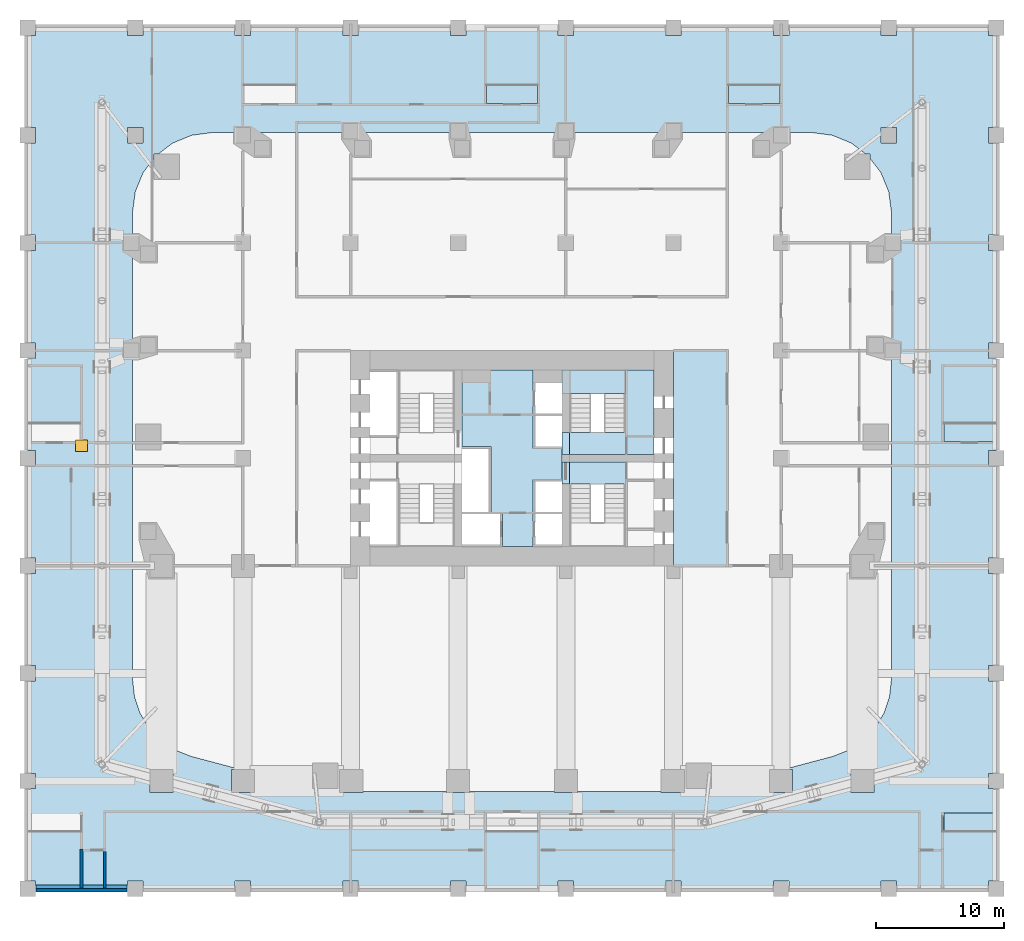
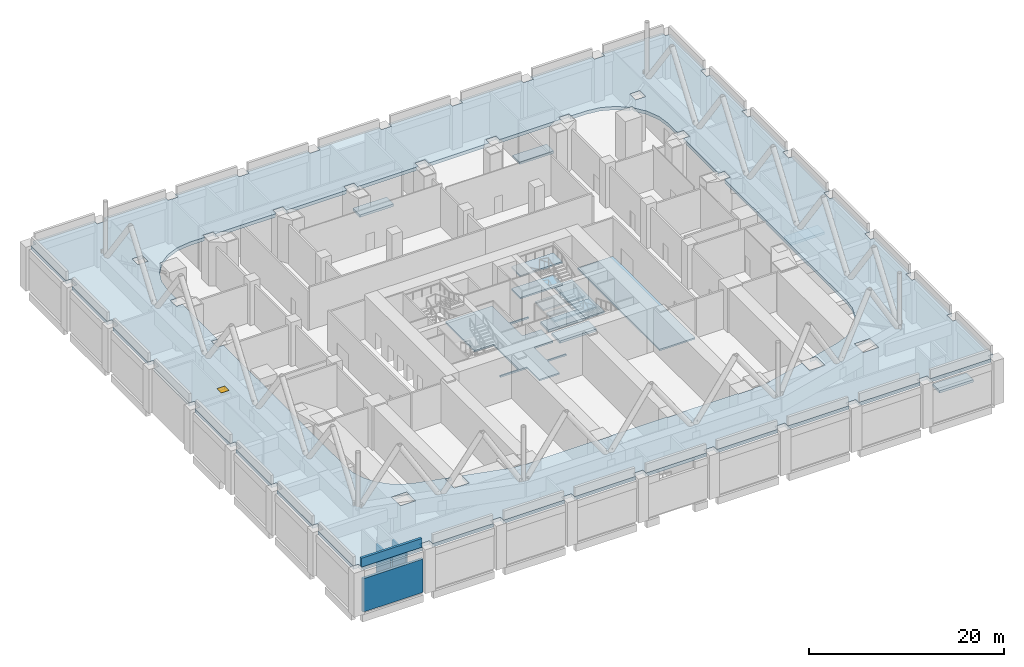
# One storey, part 6 of 17: 14 slabs, 4 walls, 1 window, 1 opening, 2 elements without a shape of their own.
"""IFC4 building model written with IfcOpenShell, lengths in metres."""

import ifcopenshell
import ifcopenshell.guid

model = None  # the IFC model being written
_history = None  # IfcOwnerHistory: only IFC2X3 demands one
_inside = {}  # id of a spatial element -> (the spatial element, [elements in it])
_under = {}  # id of a project, library or spatial element -> (it, [spatial elements below it])
_declared = {}  # id of a project -> (the project, [libraries it declares])
_typed = {}  # id of a type object -> (the type object, [elements of that type])
_made_of = {}  # id of a material, layer set ... -> (it, [elements and type objects made of it])


def new_model(schema):
    """Start an empty IFC model of exactly this schema.

    Asked for "IFC4X3", IfcOpenShell would pick the latest addendum, in which some entities
    have other attributes; the version numbers below select the first issue.
    IFC2X3 requires an IfcOwnerHistory on every rooted entity: one is made here for all.
    """
    global model, _history
    if schema == "IFC4X3":
        model = ifcopenshell.file(schema_version=(4, 3, 0, 0))
    else:
        model = ifcopenshell.file(schema=schema)
    _inside.clear()
    _under.clear()
    _declared.clear()
    _typed.clear()
    _made_of.clear()
    _history = None
    if model.schema == "IFC2X3":
        org = make("IfcOrganization", Name="unknown")
        user = make(
            "IfcPersonAndOrganization",
            ThePerson=make("IfcPerson", FamilyName="unknown"),
            TheOrganization=org,
        )
        app = make(
            "IfcApplication",
            ApplicationDeveloper=org,
            Version="unknown",
            ApplicationFullName="unknown",
            ApplicationIdentifier="unknown",
        )
        _history = make(
            "IfcOwnerHistory",
            OwningUser=user,
            OwningApplication=app,
            ChangeAction="ADDED",
            CreationDate=0,
        )
    return model


def make(cls, **values):
    """One entity of the class cls with the attributes given. An attribute that is None is left unset."""
    return model.create_entity(
        cls, **{name: value for name, value in values.items() if value is not None}
    )


def rooted(cls, **values):
    """An entity with a GlobalId (a new one), such as an element, a storey or a relation."""
    return make(cls, GlobalId=ifcopenshell.guid.new(), OwnerHistory=_history, **values)


def si_unit(unit_type, name, prefix=None):
    """IfcSIUnit, for example si_unit("LENGTHUNIT", "METRE", prefix="MILLI")."""
    return make("IfcSIUnit", UnitType=unit_type, Prefix=prefix, Name=name)


def assignment(units):
    """IfcUnitAssignment: the units of a project."""
    return None if units is None else make("IfcUnitAssignment", Units=units)


def point(xyz):
    """IfcCartesianPoint."""
    return None if xyz is None else make("IfcCartesianPoint", Coordinates=xyz)


def direction(xyz):
    """IfcDirection."""
    return None if xyz is None else make("IfcDirection", DirectionRatios=xyz)


def frame(location, z_axis=None, x_axis=None):
    """IfcAxis2Placement3D, a coordinate frame: its origin and axes. An axis left out is left unset."""
    return make(
        "IfcAxis2Placement3D",
        Location=point(location),
        Axis=direction(z_axis),
        RefDirection=direction(x_axis),
    )


def frame_2d(location, x_axis=None):
    """IfcAxis2Placement2D, a coordinate frame in the plane: its origin and x axis."""
    return make(
        "IfcAxis2Placement2D", Location=point(location), RefDirection=direction(x_axis)
    )


def origin():
    """The frame at (0, 0, 0) with its axes left unset."""
    return frame((0.0, 0.0, 0.0))


def origin_2d():
    """The frame at (0, 0) in the plane with its x axis left unset."""
    return frame_2d((0.0, 0.0))


def place(relative_to, where):
    """IfcLocalPlacement: puts the frame where relative to a parent placement (None: the world)."""
    return make(
        "IfcLocalPlacement", PlacementRelTo=relative_to, RelativePlacement=where
    )


def context(
    kind, dimensions, precision=None, world=None, true_north=None, identifier=None
):
    """IfcGeometricRepresentationContext, for example the 3D "Model" context."""
    return make(
        "IfcGeometricRepresentationContext",
        ContextIdentifier=identifier,
        ContextType=kind,
        CoordinateSpaceDimension=dimensions,
        Precision=precision,
        WorldCoordinateSystem=world,
        TrueNorth=true_north,
    )


def subcontext(parent, identifier, kind, view, scale=None):
    """IfcGeometricRepresentationSubContext, for example "Body" below "Model"."""
    return make(
        "IfcGeometricRepresentationSubContext",
        ContextIdentifier=identifier,
        ContextType=kind,
        ParentContext=parent,
        TargetScale=scale,
        TargetView=view,
    )


def project(units=None, contexts=None):
    """IfcProject with its units and contexts."""
    return rooted(
        "IfcProject",
        Name="project",
        RepresentationContexts=contexts,
        UnitsInContext=assignment(units),
    )


def spatial(cls, under=None, at=None, **own):
    """A site, building, storey or space (cls), placed at a placement, below another one or the project."""
    s = rooted(cls, ObjectPlacement=at, **own)
    if under is not None:
        _under.setdefault(under.id(), (under, []))[1].append(s)
    return s


def polyline(points):
    """IfcPolyline through the points."""
    return make("IfcPolyline", Points=[point(p) for p in points])


def profile(cls, at=None, kind="AREA", **sizes):
    """A parametric profile (cls). Its sizes go by their IFC names, for example OverallWidth=200.0."""
    return make(cls, ProfileType=kind, Position=at, **sizes)


def rectangle(**sizes):
    """IfcRectangleProfileDef."""
    return profile("IfcRectangleProfileDef", **sizes)


def outline(outer, holes=None, kind="AREA"):
    """IfcArbitraryClosedProfileDef: a profile drawn as a closed curve; with holes, ...WithVoids."""
    if holes is None:
        return make("IfcArbitraryClosedProfileDef", ProfileType=kind, OuterCurve=outer)
    return make(
        "IfcArbitraryProfileDefWithVoids",
        ProfileType=kind,
        OuterCurve=outer,
        InnerCurves=holes,
    )


def extrude(swept, where, along, depth):
    """IfcExtrudedAreaSolid: the profile swept, set in the frame where, extruded along a direction by depth."""
    return make(
        "IfcExtrudedAreaSolid",
        SweptArea=swept,
        Position=where,
        ExtrudedDirection=direction(along),
        Depth=depth,
    )


def shape(context_of_items, identifier, shape_type, items):
    """IfcShapeRepresentation: the items that make up one representation, for example the "Body"."""
    return make(
        "IfcShapeRepresentation",
        ContextOfItems=context_of_items,
        RepresentationIdentifier=identifier,
        RepresentationType=shape_type,
        Items=items,
    )


def material(Name=None, Category=None):
    """IfcMaterial."""
    return make("IfcMaterial", Name=Name, Category=Category)


def layer(
    of_material, thickness, ventilated=None, Name=None, Category=None, Priority=None
):
    """IfcMaterialLayer: one layer of a wall or slab, of a material (None: an air gap)."""
    return make(
        "IfcMaterialLayer",
        Material=of_material,
        LayerThickness=thickness,
        IsVentilated=ventilated,
        Name=Name,
        Category=Category,
        Priority=Priority,
    )


def layer_set(layers, Name=None):
    """IfcMaterialLayerSet."""
    return make("IfcMaterialLayerSet", MaterialLayers=layers, LayerSetName=Name)


def made_of(thing, what):
    """Note that an element or type object is made of a material, layer set ...; save() writes the relation."""
    if what is not None:
        _made_of.setdefault(what.id(), (what, []))[1].append(thing)
    return thing


def type_object(cls, material=None, **own):
    """A type object (cls), such as IfcWallType, which elements share."""
    return made_of(rooted(cls, **own), material)


def element(
    cls,
    number,
    at=None,
    inside=None,
    cuts=None,
    type_object=None,
    material=None,
    context=None,
    identifier="Body",
    shape_type=None,
    held_by="IfcProductDefinitionShape",
    body=None,
    shapes=None,
    **own,
):
    """One element of the class cls, such as IfcWall. Its Tag is "e" and its number.

    at: its placement. inside: the storey or other place that contains it. cuts: it is an
    opening in that element (IfcRelVoidsElement). A single representation is given by context,
    identifier, shape_type and body (its items); several are given by shapes. held_by: the class
    of the entity that holds the representations. save() writes the other relations.
    """
    e = rooted(cls, Tag="e%d" % number, ObjectPlacement=at, **own)
    if body is not None:
        shapes = [shape(context, identifier, shape_type, body)]
    if shapes is not None:
        e.Representation = make(held_by, Representations=shapes)
    if inside is not None:
        _inside.setdefault(inside.id(), (inside, []))[1].append(e)
    if cuts is not None:
        rooted(
            "IfcRelVoidsElement", RelatingBuildingElement=cuts, RelatedOpeningElement=e
        )
    if type_object is not None:
        _typed.setdefault(type_object.id(), (type_object, []))[1].append(e)
    return made_of(e, material)


def fill(opening, filler):
    """IfcRelFillsElement: the door or window that sits in an opening."""
    return rooted(
        "IfcRelFillsElement",
        RelatingOpeningElement=opening,
        RelatedBuildingElement=filler,
    )


def aggregate(whole, parts):
    """IfcRelAggregates: a whole, such as a stair, and the parts it consists of."""
    return rooted("IfcRelAggregates", RelatingObject=whole, RelatedObjects=parts)


def save(model, path):
    """Write the relations noted so far, then the file.

    IfcRelAggregates (storeys below a building ...), IfcRelContainedInSpatialStructure (elements
    in a storey), IfcRelDefinesByType, IfcRelAssociatesMaterial and IfcRelDeclares: one each for
    every whole, place, type object, material and project.
    """
    for whole, parts in _under.values():
        aggregate(whole, parts)
    for where, things in _inside.values():
        rooted(
            "IfcRelContainedInSpatialStructure",
            RelatedElements=things,
            RelatingStructure=where,
        )
    for kind, things in _typed.values():
        rooted("IfcRelDefinesByType", RelatedObjects=things, RelatingType=kind)
    for what, things in _made_of.values():
        rooted("IfcRelAssociatesMaterial", RelatedObjects=things, RelatingMaterial=what)
    for by, libraries in _declared.values():
        rooted("IfcRelDeclares", RelatingContext=by, RelatedDefinitions=libraries)
    model.write(path)


model = new_model("IFC4")

# Units and contexts
model_context = context("Model", 3, precision=1e-05, world=origin(), true_north=direction((0.0, 1.0)))
body_context = subcontext(model_context, "Body", "Model", "MODEL_VIEW")
ifc_project = project(units=[si_unit("LENGTHUNIT", "METRE"), si_unit("AREAUNIT", "SQUARE_METRE"), si_unit("VOLUMEUNIT", "CUBIC_METRE"), si_unit("PLANEANGLEUNIT", "RADIAN"), si_unit("MASSUNIT", "GRAM", prefix="KILO")], contexts=[model_context])

# Site, building, storey
site_placement = place(None, origin())
site = spatial("IfcSite", under=ifc_project, at=site_placement, CompositionType="ELEMENT")
building_placement = place(site_placement, origin())
building = spatial("IfcBuilding", under=site, at=building_placement, Name="Marenta Gate Hotel Tower", CompositionType="ELEMENT")
storey_placement = place(building_placement, frame((0.0, 0.0, 31.0)))
storey = spatial("IfcBuildingStorey", under=building, at=storey_placement, Name="L05", CompositionType="ELEMENT", Elevation=31.0)

# Slabs
ifc_material_1 = material(Name="Concrete C40", Category="concrete")
ifc_layer_1 = layer(ifc_material_1, 0.199951171875)
ifc_layer_set_1 = layer_set([ifc_layer_1], Name="Concrete C40")
slab_type_1 = type_object("IfcSlabType", Name="Core floor slab 200", PredefinedType="FLOOR", material=ifc_layer_set_1)
slab_1_placement = place(storey_placement, frame((0.0, 0.0, -0.199951171875)))
element("IfcSlab", 1, at=slab_1_placement, inside=storey, type_object=slab_type_1, Name="L05-CF-1", PredefinedType="FLOOR", context=body_context, shape_type="SweptSolid", body=[
    extrude(outline(polyline([(12.60009765625, 0.0), (12.60009765625, 16.800048828125), (16.800048828125, 16.800048828125), (16.800048828125, 0.0), (12.60009765625, 0.0)])), origin(), (0.0, 0.0, 1.0), 0.199951171875),
])
slab_2_placement = place(storey_placement, frame((0.0, 0.0, -0.199951171875)))
element("IfcSlab", 2, at=slab_2_placement, inside=storey, type_object=slab_type_1, Name="L05-CF-2", PredefinedType="FLOOR", context=body_context, shape_type="SweptSolid", body=[
    extrude(outline(polyline([(8.85009765625, 15.300048828125), (11.10009765625, 15.300048828125), (11.10009765625, 8.699951171875), (8.85009765625, 8.699951171875), (8.85009765625, 10.39990234375), (8.85009765625, 15.300048828125)])), origin(), (0.0, 0.0, 1.0), 0.199951171875),
])
slab_3_placement = place(storey_placement, frame((0.0, 0.0, -0.199951171875)))
element("IfcSlab", 3, at=slab_3_placement, inside=storey, type_object=slab_type_1, Name="L05-CF-4", PredefinedType="FLOOR", context=body_context, shape_type="SweptSolid", body=[
    extrude(outline(polyline([(1.64990234375, 14.25), (1.64990234375, 11.85009765625), (1.800048828125, 11.85009765625), (3.89990234375, 11.85009765625), (3.89990234375, 11.699951171875), (1.800048828125, 11.699951171875), (1.64990234375, 11.699951171875), (1.64990234375, 9.300048828125), (1.64990234375, 9.14990234375), (3.89990234375, 9.14990234375), (3.89990234375, 9.300048828125), (3.89990234375, 10.39990234375), (3.89990234375, 10.39990234375), (3.89990234375, 6.39990234375), (3.89990234375, 6.39990234375), (3.89990234375, 6.60009765625), (3.89990234375, 6.75), (1.64990234375, 6.75), (1.64990234375, 6.60009765625), (1.64990234375, 4.199951171875), (1.800048828125, 4.199951171875), (3.89990234375, 4.199951171875), (3.89990234375, 4.050048828125), (1.800048828125, 4.050048828125), (1.64990234375, 4.050048828125), (1.64990234375, 1.64990234375), (1.64990234375, 1.5), (-0.75, 1.5), (-0.75, 4.050048828125), (-0.89990234375, 4.050048828125), (-3.89990234375, 4.050048828125), (-3.89990234375, 4.199951171875), (-1.800048828125, 4.199951171875), (-1.64990234375, 4.199951171875), (-1.64990234375, 9.14990234375), (-1.64990234375, 9.300048828125), (-3.89990234375, 9.300048828125), (-3.89990234375, 9.14990234375), (-3.89990234375, 6.75), (-3.89990234375, 6.60009765625), (-3.89990234375, 6.39990234375), (-3.89990234375, 6.39990234375), (-3.89990234375, 10.39990234375), (-3.89990234375, 10.39990234375), (-3.89990234375, 15.300048828125), (1.64990234375, 15.300048828125), (1.64990234375, 14.25)])), origin(), (0.0, 0.0, 1.0), 0.199951171875),
])

# Stair, slab
ifc_material_2 = material(Name="Concrete C40", Category="concrete")
stair_type = type_object("IfcStairType", Name="Core exit stair 1640 wide", PredefinedType="HALF_TURN_STAIR", material=ifc_material_2)
stair_1_placement = place(storey_placement, origin())
stair_1 = element("IfcStair", 4, at=stair_1_placement, inside=storey, type_object=stair_type, Name="Exit stair 3", PredefinedType="HALF_TURN_STAIR")
ifc_material_3 = material(Name="Concrete C40", Category="concrete")
ifc_layer_2 = layer(ifc_material_3, 0.199951171875)
ifc_layer_set_2 = layer_set([ifc_layer_2], Name="Concrete C40")
slab_type_2 = type_object("IfcSlabType", Name="Core stair landing 200", PredefinedType="LANDING", material=ifc_layer_set_2)
slab_4_placement = place(storey_placement, frame((0.0, 0.0, 2.550048828125)))
slab_4 = element("IfcSlab", 5, at=slab_4_placement, type_object=slab_type_2, Name="SL-200 ST3 landing 2", PredefinedType="LANDING", context=body_context, shape_type="SweptSolid", body=[
    extrude(outline(polyline([(3.89990234375, 6.39990234375), (8.85009765625, 6.39990234375), (8.85009765625, 8.10009765625), (3.89990234375, 8.10009765625), (3.89990234375, 6.39990234375)])), origin(), (0.0, 0.0, 1.0), 0.199951171875),
])
aggregate(stair_1, [slab_4])

# Stair, slabs
stair_2_placement = place(storey_placement, origin())
stair_2 = element("IfcStair", 6, at=stair_2_placement, inside=storey, type_object=stair_type, Name="Exit stair 4", PredefinedType="HALF_TURN_STAIR")
slab_5_placement = place(storey_placement, frame((0.0, 0.0, 1.175048828125)))
slab_5 = element("IfcSlab", 7, at=slab_5_placement, type_object=slab_type_2, Name="SL-200 ST4 landing 1", PredefinedType="LANDING", context=body_context, shape_type="SweptSolid", body=[
    extrude(outline(polyline([(3.89990234375, 13.43994140625), (8.85009765625, 13.43994140625), (8.85009765625, 15.300048828125), (3.89990234375, 15.300048828125), (3.89990234375, 13.43994140625)])), origin(), (0.0, 0.0, 1.0), 0.199951171875),
])
slab_6_placement = place(storey_placement, frame((0.0, 0.0, 2.550048828125)))
slab_6 = element("IfcSlab", 8, at=slab_6_placement, type_object=slab_type_2, Name="SL-200 ST4 landing 2", PredefinedType="LANDING", context=body_context, shape_type="SweptSolid", body=[
    extrude(outline(polyline([(3.89990234375, 8.699951171875), (8.85009765625, 8.699951171875), (8.85009765625, 10.39990234375), (3.89990234375, 10.39990234375), (3.89990234375, 8.699951171875)])), origin(), (0.0, 0.0, 1.0), 0.199951171875),
])
slab_7_placement = place(storey_placement, frame((0.0, 0.0, 3.925048828125)))
slab_7 = element("IfcSlab", 9, at=slab_7_placement, type_object=slab_type_2, Name="SL-200 ST4 landing 3", PredefinedType="LANDING", context=body_context, shape_type="SweptSolid", body=[
    extrude(outline(polyline([(3.89990234375, 13.43994140625), (8.85009765625, 13.43994140625), (8.85009765625, 15.300048828125), (3.89990234375, 15.300048828125), (3.89990234375, 13.43994140625)])), origin(), (0.0, 0.0, 1.0), 0.199951171875),
])
aggregate(stair_2, [slab_5, slab_6, slab_7])

# Slab, opening, window
ifc_material_4 = material(Name="Concrete C40", Category="concrete")
ifc_layer_3 = layer(ifc_material_4, 0.419921875)
ifc_layer_set_3 = layer_set([ifc_layer_3], Name="Concrete C40")
slab_type_3 = type_object("IfcSlabType", Name="Podium roof slab 420 C40", PredefinedType="ROOF", material=ifc_layer_set_3)
slab_8_placement = place(storey_placement, frame((0.0, 0.0, 5.080078125)))
slab_8 = element("IfcSlab", 10, at=slab_8_placement, inside=storey, type_object=slab_type_3, Name="PS2 L05-PSL-R1", PredefinedType="ROOF", context=body_context, shape_type="SweptSolid", body=[
    extrude(outline(polyline([(-37.800048828125, -17.39990234375), (-37.800048828125, -24.60009765625), (-37.199951171875, -24.60009765625), (-37.199951171875, -25.199951171875), (-30.0, -25.199951171875), (-30.0, -24.60009765625), (-28.800048828125, -24.60009765625), (-28.800048828125, -25.199951171875), (-21.60009765625, -25.199951171875), (-21.60009765625, -24.60009765625), (-20.39990234375, -24.60009765625), (-20.39990234375, -25.199951171875), (-13.199951171875, -25.199951171875), (-13.199951171875, -24.60009765625), (-12.0, -24.60009765625), (-12.0, -25.199951171875), (-4.800048828125, -25.199951171875), (-4.800048828125, -24.60009765625), (-3.60009765625, -24.60009765625), (-3.60009765625, -25.199951171875), (3.60009765625, -25.199951171875), (3.60009765625, -24.60009765625), (4.800048828125, -24.60009765625), (4.800048828125, -25.199951171875), (12.0, -25.199951171875), (12.0, -24.60009765625), (13.199951171875, -24.60009765625), (13.199951171875, -25.199951171875), (20.39990234375, -25.199951171875), (20.39990234375, -24.60009765625), (21.60009765625, -24.60009765625), (21.60009765625, -25.199951171875), (28.800048828125, -25.199951171875), (28.800048828125, -24.60009765625), (30.0, -24.60009765625), (30.0, -25.199951171875), (37.199951171875, -25.199951171875), (37.199951171875, -24.60009765625), (37.800048828125, -24.60009765625), (37.800048828125, -17.39990234375), (37.199951171875, -17.39990234375), (37.199951171875, -16.199951171875), (37.800048828125, -16.199951171875), (37.800048828125, -9.0), (37.199951171875, -9.0), (37.199951171875, -7.800048828125), (37.800048828125, -7.800048828125), (37.800048828125, -0.60009765625), (37.199951171875, -0.60009765625), (37.199951171875, 0.60009765625), (37.800048828125, 0.60009765625), (37.800048828125, 7.800048828125), (37.199951171875, 7.800048828125), (37.199951171875, 9.0), (37.800048828125, 9.0), (37.800048828125, 16.199951171875), (37.199951171875, 16.199951171875), (37.199951171875, 17.39990234375), (37.800048828125, 17.39990234375), (37.800048828125, 24.60009765625), (37.199951171875, 24.60009765625), (37.199951171875, 25.800048828125), (37.800048828125, 25.800048828125), (37.800048828125, 33.0), (37.199951171875, 33.0), (37.199951171875, 34.199951171875), (37.800048828125, 34.199951171875), (37.800048828125, 41.39990234375), (37.199951171875, 41.39990234375), (37.199951171875, 42.0), (30.0, 42.0), (30.0, 41.39990234375), (28.800048828125, 41.39990234375), (28.800048828125, 42.0), (21.60009765625, 42.0), (21.60009765625, 41.39990234375), (20.39990234375, 41.39990234375), (20.39990234375, 42.0), (13.199951171875, 42.0), (13.199951171875, 41.39990234375), (12.0, 41.39990234375), (12.0, 42.0), (4.800048828125, 42.0), (4.800048828125, 41.39990234375), (3.60009765625, 41.39990234375), (3.60009765625, 42.0), (-3.60009765625, 42.0), (-3.60009765625, 41.39990234375), (-4.800048828125, 41.39990234375), (-4.800048828125, 42.0), (-12.0, 42.0), (-12.0, 41.39990234375), (-13.199951171875, 41.39990234375), (-13.199951171875, 42.0), (-20.39990234375, 42.0), (-20.39990234375, 41.39990234375), (-21.60009765625, 41.39990234375), (-21.60009765625, 42.0), (-28.800048828125, 42.0), (-28.800048828125, 41.39990234375), (-30.0, 41.39990234375), (-30.0, 42.0), (-37.199951171875, 42.0), (-37.199951171875, 41.39990234375), (-37.800048828125, 41.39990234375), (-37.800048828125, 34.199951171875), (-37.199951171875, 34.199951171875), (-37.199951171875, 33.0), (-37.800048828125, 33.0), (-37.800048828125, 25.800048828125), (-37.199951171875, 25.800048828125), (-37.199951171875, 24.60009765625), (-37.800048828125, 24.60009765625), (-37.800048828125, 17.39990234375), (-37.199951171875, 17.39990234375), (-37.199951171875, 16.199951171875), (-37.800048828125, 16.199951171875), (-37.800048828125, 9.0), (-37.199951171875, 9.0), (-37.199951171875, 7.800048828125), (-37.800048828125, 7.800048828125), (-37.800048828125, 0.60009765625), (-37.199951171875, 0.60009765625), (-37.199951171875, -0.60009765625), (-37.800048828125, -0.60009765625), (-37.800048828125, -7.800048828125), (-37.199951171875, -7.800048828125), (-37.199951171875, -9.0), (-37.800048828125, -9.0), (-37.800048828125, -16.199951171875), (-37.199951171875, -16.199951171875), (-37.199951171875, -17.39990234375), (-37.800048828125, -17.39990234375)]), holes=[polyline([(-14.736083984375, -17.572509765625), (-15.24462890625, -17.47216796875), (-15.258056640625, -17.46923828125), (-20.10009765625, -16.1845703125), (-20.10009765625, -17.699951171875), (-21.89990234375, -17.699951171875), (-21.89990234375, -15.89990234375), (-21.172607421875, -15.89990234375), (-24.992431640625, -14.88671875), (-25.014404296875, -14.87939453125), (-26.235107421875, -14.407958984375), (-26.256103515625, -14.3984375), (-26.27587890625, -14.38671875), (-27.365478515625, -13.66162109375), (-27.3837890625, -13.64794921875), (-27.400634765625, -13.63232421875), (-28.30712890625, -12.68798828125), (-28.322021484375, -12.670654296875), (-28.3349609375, -12.65185546875), (-29.01513671875, -11.533447265625), (-29.026123046875, -11.51318359375), (-29.03466796875, -11.491943359375), (-29.4560546875, -10.2529296875), (-29.462158203125, -10.230712890625), (-29.4658203125, -10.208251953125), (-29.608642578125, -8.9072265625), (-29.610107421875, -8.88427734375), (-29.610107421875, 16.199951171875), (-30.320068359375, 16.199951171875), (-30.320068359375, 17.39990234375), (-29.610107421875, 17.39990234375), (-29.610107421875, 24.60009765625), (-30.320068359375, 24.60009765625), (-30.320068359375, 25.800048828125), (-29.610107421875, 25.800048828125), (-29.610107421875, 27.60009765625), (-29.608154296875, 27.62744140625), (-29.40380859375, 29.180419921875), (-29.400634765625, 29.1982421875), (-29.39599609375, 29.216064453125), (-29.3896484375, 29.2333984375), (-28.790283203125, 30.680419921875), (-28.782470703125, 30.697021484375), (-28.773193359375, 30.712890625), (-28.7626953125, 30.727783203125), (-27.935546875, 31.805908203125), (-27.935546875, 32.135498046875), (-27.60595703125, 32.135498046875), (-26.52783203125, 32.962890625), (-26.5126953125, 32.973388671875), (-26.4970703125, 32.982421875), (-26.48046875, 32.990234375), (-25.033203125, 33.589599609375), (-25.01611328125, 33.595947265625), (-24.998291015625, 33.6005859375), (-24.980224609375, 33.603759765625), (-23.427490234375, 33.80810546875), (-23.39990234375, 33.81005859375), (-21.60009765625, 33.81005859375), (-21.60009765625, 34.199951171875), (-20.39990234375, 34.199951171875), (-20.39990234375, 33.81005859375), (-13.199951171875, 33.81005859375), (-13.199951171875, 34.52001953125), (-12.0, 34.52001953125), (-12.0, 33.81005859375), (-4.800048828125, 33.81005859375), (-4.800048828125, 34.52001953125), (-3.60009765625, 34.52001953125), (-3.60009765625, 33.81005859375), (3.60009765625, 33.81005859375), (3.60009765625, 34.52001953125), (4.800048828125, 34.52001953125), (4.800048828125, 33.81005859375), (12.0, 33.81005859375), (12.0, 34.52001953125), (13.199951171875, 34.52001953125), (13.199951171875, 33.81005859375), (20.39990234375, 33.81005859375), (20.39990234375, 34.199951171875), (21.60009765625, 34.199951171875), (21.60009765625, 33.81005859375), (23.39990234375, 33.81005859375), (23.427490234375, 33.80810546875), (24.980224609375, 33.603759765625), (24.998291015625, 33.6005859375), (25.01611328125, 33.595947265625), (25.033203125, 33.589599609375), (26.48046875, 32.990234375), (26.4970703125, 32.982421875), (26.5126953125, 32.973388671875), (26.52783203125, 32.962890625), (27.60595703125, 32.135498046875), (27.935546875, 32.135498046875), (27.935546875, 31.805908203125), (28.7626953125, 30.727783203125), (28.773193359375, 30.712890625), (28.782470703125, 30.697021484375), (28.790283203125, 30.680419921875), (29.3896484375, 29.2333984375), (29.39599609375, 29.216064453125), (29.400634765625, 29.1982421875), (29.40380859375, 29.180419921875), (29.608154296875, 27.62744140625), (29.610107421875, 27.60009765625), (29.610107421875, 25.800048828125), (30.320068359375, 25.800048828125), (30.320068359375, 24.60009765625), (29.610107421875, 24.60009765625), (29.610107421875, 17.39990234375), (30.320068359375, 17.39990234375), (30.320068359375, 16.199951171875), (29.610107421875, 16.199951171875), (29.610107421875, -8.88427734375), (29.608642578125, -8.9072265625), (29.4658203125, -10.208251953125), (29.462158203125, -10.230712890625), (29.4560546875, -10.2529296875), (29.03466796875, -11.491943359375), (29.026123046875, -11.51318359375), (29.01513671875, -11.533447265625), (28.3349609375, -12.65185546875), (28.322021484375, -12.670654296875), (28.30712890625, -12.68798828125), (27.400634765625, -13.63232421875), (27.3837890625, -13.64794921875), (27.365478515625, -13.66162109375), (26.27587890625, -14.38671875), (26.256103515625, -14.3984375), (26.235107421875, -14.407958984375), (25.014404296875, -14.87939453125), (24.992431640625, -14.88671875), (21.172607421875, -15.89990234375), (21.89990234375, -15.89990234375), (21.89990234375, -17.699951171875), (20.10009765625, -17.699951171875), (20.10009765625, -16.1845703125), (15.258056640625, -17.46923828125), (15.24462890625, -17.47216796875), (14.736083984375, -17.572509765625), (14.709228515625, -17.575927734375), (14.19189453125, -17.609619140625), (14.178466796875, -17.610107421875), (13.4462890625, -17.610107421875), (13.4462890625, -17.699951171875), (11.646240234375, -17.699951171875), (11.646240234375, -17.610107421875), (5.10009765625, -17.610107421875), (5.10009765625, -17.699951171875), (3.300048828125, -17.699951171875), (3.300048828125, -17.610107421875), (-3.300048828125, -17.610107421875), (-3.300048828125, -17.699951171875), (-5.10009765625, -17.699951171875), (-5.10009765625, -17.610107421875), (-11.646240234375, -17.610107421875), (-11.646240234375, -17.699951171875), (-13.4462890625, -17.699951171875), (-13.4462890625, -17.610107421875), (-14.178466796875, -17.610107421875), (-14.19189453125, -17.609619140625), (-14.709228515625, -17.575927734375), (-14.736083984375, -17.572509765625)]), polyline([(28.800048828125, 33.0), (28.800048828125, 34.199951171875), (30.0, 34.199951171875), (30.0, 33.0), (28.800048828125, 33.0)]), polyline([(26.462890625, -15.89990234375), (28.262939453125, -15.89990234375), (28.262939453125, -17.699951171875), (26.462890625, -17.699951171875), (26.462890625, -15.89990234375)]), polyline([(-28.262939453125, -17.699951171875), (-28.262939453125, -15.89990234375), (-26.462890625, -15.89990234375), (-26.462890625, -17.699951171875), (-28.262939453125, -17.699951171875)]), polyline([(-30.0, 33.0), (-30.0, 34.199951171875), (-28.800048828125, 34.199951171875), (-28.800048828125, 33.0), (-30.0, 33.0)])]), origin(), (0.0, 0.0, 1.0), 0.419921875),
])
opening_placement = place(slab_8_placement, frame((-33.60009765625, 9.35791015625, 0.0)))
opening = element("IfcOpeningElement", 11, at=opening_placement, cuts=slab_8, Name="Opening RH1", PredefinedType="OPENING", context=body_context, shape_type="SweptSolid", body=[
    extrude(rectangle(XDim=0.89990234375, YDim=0.89990234375, at=origin_2d()), origin(), (0.0, 0.0, 1.0), 0.419921875),
])
ifc_material_5 = material(Name="Insulated steel hatch", Category="steel")
window_type = type_object("IfcWindowType", Name="Roof access hatch 900x900", PartitioningType="SINGLE_PANEL", PredefinedType="SKYLIGHT", material=ifc_material_5)
window_placement = place(opening_placement, frame((0.0, 0.0, 0.369873046875)))
window = element("IfcWindow", 12, at=window_placement, inside=storey, type_object=window_type, Name="Roof access hatch", OverallHeight=0.89990234375, OverallWidth=0.89990234375, PartitioningType="SINGLE_PANEL", PredefinedType="SKYLIGHT", context=body_context, shape_type="SweptSolid", body=[
    extrude(rectangle(XDim=0.89990234375, YDim=0.89990234375, at=origin_2d()), origin(), (0.0, 0.0, 1.0), 0.050048828125),
])
fill(opening, window)

# Slabs
ifc_material_6 = material(Name="Concrete C40", Category="concrete")
ifc_layer_4 = layer(ifc_material_6, 0.300048828125)
ifc_layer_set_4 = layer_set([ifc_layer_4], Name="Concrete C40")
slab_type_4 = type_object("IfcSlabType", Name="Stair floor landing slab 300", PredefinedType="FLOOR", material=ifc_layer_set_4)
slab_9_placement = place(storey_placement, frame((0.0, 0.0, -0.300048828125)))
element("IfcSlab", 13, at=slab_9_placement, inside=storey, type_object=slab_type_4, Name="L05-CL-ST3-1", PredefinedType="FLOOR", context=body_context, shape_type="SweptSolid", body=[
    extrude(outline(polyline([(4.5, 6.39990234375), (4.5, 8.10009765625), (8.85009765625, 8.10009765625), (8.85009765625, 6.39990234375), (4.5, 6.39990234375)])), origin(), (0.0, 0.0, 1.0), 0.300048828125),
])
slab_10_placement = place(storey_placement, frame((0.0, 0.0, -0.300048828125)))
element("IfcSlab", 14, at=slab_10_placement, inside=storey, type_object=slab_type_4, Name="L05-CL-ST4-1", PredefinedType="FLOOR", context=body_context, shape_type="SweptSolid", body=[
    extrude(outline(polyline([(4.5, 8.699951171875), (4.5, 10.39990234375), (8.85009765625, 10.39990234375), (8.85009765625, 8.699951171875), (4.5, 8.699951171875)])), origin(), (0.0, 0.0, 1.0), 0.300048828125),
])
slab_11_placement = place(storey_placement, frame((0.0, 0.0, -0.300048828125)))
element("IfcSlab", 15, at=slab_11_placement, inside=storey, type_object=slab_type_4, Name="L05-CL-PX2-1", PredefinedType="FLOOR", context=body_context, shape_type="SweptSolid", body=[
    extrude(outline(polyline([(37.699951171875, -20.72998046875), (33.699951171875, -20.72998046875), (33.699951171875, -19.300048828125), (37.699951171875, -19.300048828125), (37.699951171875, -20.72998046875)])), origin(), (0.0, 0.0, 1.0), 0.300048828125),
])
slab_12_placement = place(storey_placement, frame((0.0, 0.0, -0.300048828125)))
element("IfcSlab", 16, at=slab_12_placement, inside=storey, type_object=slab_type_4, Name="L05-CL-PX4-1", PredefinedType="FLOOR", context=body_context, shape_type="SweptSolid", body=[
    extrude(outline(polyline([(20.89990234375, 36.10009765625), (16.89990234375, 36.10009765625), (16.89990234375, 37.530029296875), (20.89990234375, 37.530029296875), (20.89990234375, 36.10009765625)])), origin(), (0.0, 0.0, 1.0), 0.300048828125),
])
slab_13_placement = place(storey_placement, frame((0.0, 0.0, -0.300048828125)))
element("IfcSlab", 17, at=slab_13_placement, inside=storey, type_object=slab_type_4, Name="L05-CL-PX7-1", PredefinedType="FLOOR", context=body_context, shape_type="SweptSolid", body=[
    extrude(outline(polyline([(37.699951171875, 9.699951171875), (33.699951171875, 9.699951171875), (33.699951171875, 11.1298828125), (37.699951171875, 11.1298828125), (37.699951171875, 9.699951171875)])), origin(), (0.0, 0.0, 1.0), 0.300048828125),
])
slab_14_placement = place(storey_placement, frame((0.0, 0.0, -0.300048828125)))
element("IfcSlab", 18, at=slab_14_placement, inside=storey, type_object=slab_type_4, Name="L05-CL-PX8-1", PredefinedType="FLOOR", context=body_context, shape_type="SweptSolid", body=[
    extrude(outline(polyline([(2.0, 36.10009765625), (-2.0, 36.10009765625), (-2.0, 37.530029296875), (2.0, 37.530029296875), (2.0, 36.10009765625)])), origin(), (0.0, 0.0, 1.0), 0.300048828125),
])

# Walls
ifc_material_7 = material(Name="Concrete C40 board-marked", Category="concrete")
ifc_layer_5 = layer(ifc_material_7, 0.300048828125)
ifc_layer_set_5 = layer_set([ifc_layer_5], Name="Concrete C40 board-marked")
wall_type_1 = type_object("IfcWallType", Name="Board-marked concrete wall 300 mm", PredefinedType="NOTDEFINED", material=ifc_layer_set_5)
wall_1_placement = place(storey_placement, frame((-37.159912109375, -25.2900390625, 0.0), z_axis=(0.0, 0.0, 1.0), x_axis=(1.0, 0.0, 0.0)))
element("IfcWall", 19, at=wall_1_placement, inside=storey, type_object=wall_type_1, Name="L05-CLD-P-S000", PredefinedType="NOTDEFINED", context=body_context, shape_type="SweptSolid", body=[
    extrude(rectangle(XDim=7.119873046875, YDim=0.300048828125, at=frame_2d((3.56005859375, 0.0))), origin(), (0.0, 0.0, 1.0), 4.179931640625),
])
ifc_material_8 = material(Name="Concrete C40 board-marked", Category="concrete")
ifc_layer_6 = layer(ifc_material_8, 0.300048828125)
ifc_layer_set_6 = layer_set([ifc_layer_6], Name="Concrete C40 board-marked")
wall_type_2 = type_object("IfcWallType", Name="Parapet 300 mm board-marked concrete", PredefinedType="PARAPET", material=ifc_layer_set_6)
wall_2_placement = place(storey_placement, frame((-30.0400390625, -25.050048828125, 5.5), z_axis=(0.0, 0.0, 1.0), x_axis=(-1.0, 0.0, 0.0)))
element("IfcWall", 20, at=wall_2_placement, inside=storey, type_object=wall_type_2, Name="L05-PAR-00038", PredefinedType="PARAPET", context=body_context, shape_type="SweptSolid", body=[
    extrude(rectangle(XDim=7.119873046875, YDim=0.300048828125, at=frame_2d((3.56005859375, 0.0))), origin(), (0.0, 0.0, 1.0), 1.10009765625),
])
ifc_material_9 = material(Name="Concrete blockwork", Category="masonry")
ifc_layer_7 = layer(ifc_material_9, 0.199951171875)
ifc_layer_set_7 = layer_set([ifc_layer_7], Name="Concrete blockwork")
wall_type_3 = type_object("IfcWallType", Name="Room party wall 200 EI 120", PredefinedType="PARTITIONING", material=ifc_layer_set_7)
wall_3_placement = place(storey_placement, frame((-31.800048828125, -25.139892578125, 0.0), z_axis=(0.0, 0.0, 1.0), x_axis=(0.0, 1.0, 0.0)))
element("IfcWall", 21, at=wall_3_placement, inside=storey, type_object=wall_type_3, Name="L05-PTN-W060", PredefinedType="PARTITIONING", context=body_context, shape_type="SweptSolid", body=[
    extrude(rectangle(XDim=2.83984375, YDim=0.199951171875, at=frame_2d((1.419921875, 0.0))), origin(), (0.0, 0.0, 1.0), 5.35009765625),
])
ifc_material_10 = material(Name="Concrete blockwork", Category="masonry")
ifc_layer_8 = layer(ifc_material_10, 0.199951171875)
ifc_layer_set_8 = layer_set([ifc_layer_8], Name="Concrete blockwork")
wall_type_4 = type_object("IfcWallType", Name="Room party wall 200 REI 180", PredefinedType="PARTITIONING", material=ifc_layer_set_8)
wall_4_placement = place(storey_placement, frame((-33.60009765625, -25.139892578125, 0.0), z_axis=(0.0, 0.0, 1.0), x_axis=(0.0, 1.0, 0.0)))
element("IfcWall", 22, at=wall_4_placement, inside=storey, type_object=wall_type_4, Name="L05-PTN-W062", PredefinedType="PARTITIONING", context=body_context, shape_type="SweptSolid", body=[
    extrude(rectangle(XDim=3.039794921875, YDim=0.199951171875, at=frame_2d((1.52001953125, 0.0))), origin(), (0.0, 0.0, 1.0), 5.35009765625),
])

save(model, "model.ifc")
